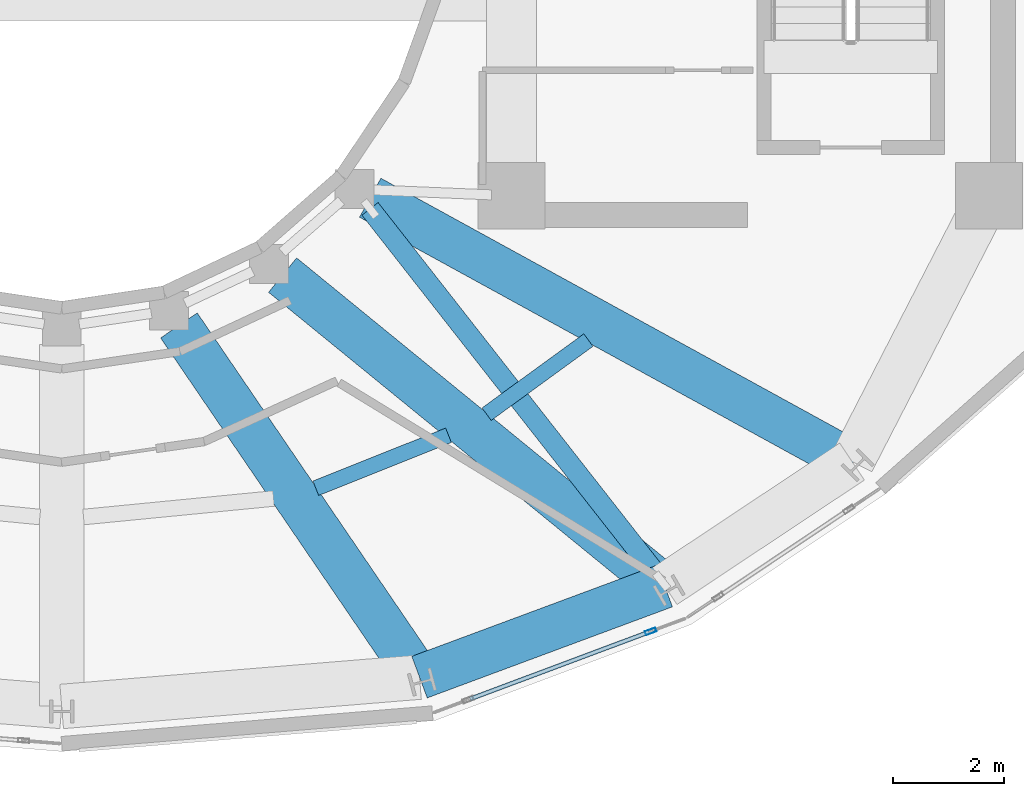
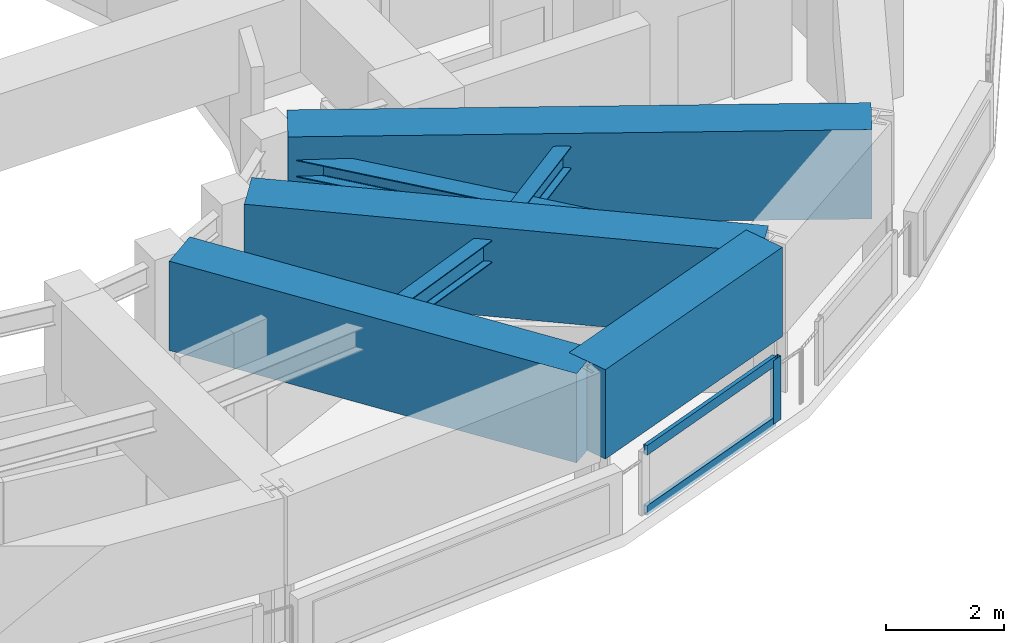
# One storey, part 5 of 18: 6 beams, 4 members, 1 element without a shape of its own.
"""IFC4 building model written with IfcOpenShell, lengths in metres."""

from ifc_helpers import new_model, si_unit, direction, frame, origin, origin_2d, place, context, subcontext, project, spatial, rectangle, hollow_rectangle, i_section, extrude, material, layer, layer_set, material_profile, profile_set, type_object, element, aggregate, save


model = new_model("IFC4")

# Units and contexts
model_context = context("Model", 3, precision=1e-05, world=origin(), true_north=direction((0.0, 1.0)))
body_context = subcontext(model_context, "Body", "Model", "MODEL_VIEW")
ifc_project = project(units=[si_unit("LENGTHUNIT", "METRE"), si_unit("AREAUNIT", "SQUARE_METRE"), si_unit("VOLUMEUNIT", "CUBIC_METRE"), si_unit("PLANEANGLEUNIT", "RADIAN"), si_unit("MASSUNIT", "GRAM", prefix="KILO")], contexts=[model_context])

# Site, building, storey
site_placement = place(None, origin())
site = spatial("IfcSite", under=ifc_project, at=site_placement, CompositionType="ELEMENT")
building_placement = place(site_placement, origin())
building = spatial("IfcBuilding", under=site, at=building_placement, Name="Solvane Sanctuary Tower", CompositionType="ELEMENT")
storey_placement = place(building_placement, frame((0.0, 0.0, 263.60009765625)))
storey = spatial("IfcBuildingStorey", under=building, at=storey_placement, Name="L80", CompositionType="ELEMENT", Elevation=263.60009765625)

# Beams
ifc_material_1 = material(Name="Steel ASTM A992 Grade 50", Category="steel")
ifc_material_profile_1 = material_profile(ifc_material_1, i_section(OverallWidth=0.280029296875, OverallDepth=0.462890625, WebThickness=0.0107421875, FlangeThickness=0.017333984375, FilletRadius=0.013916015625, at=origin_2d()), Name="W18X76")
ifc_profile_set_1 = profile_set([ifc_material_profile_1], Name="Steel ASTM A992 Grade 50")
beam_type_1 = type_object("IfcBeamType", Name="Beam B-SEC-JOIST W18X76", PredefinedType="JOIST", material=ifc_profile_set_1)
beam_1_placement = place(storey_placement, frame((36.57666015625, 11.632080078125, 2.706298828125), z_axis=(0.928646716037, 0.370965330987, 0.0), x_axis=(-0.370965330987, 0.928646716037, 0.0)))
element("IfcBeam", 1, at=beam_1_placement, inside=storey, type_object=beam_type_1, Name="L80 Secondary Circumferential Joist 12-13", PredefinedType="JOIST", context=body_context, shape_type="SweptSolid", body=[
    extrude(i_section(OverallWidth=0.280029296875, OverallDepth=0.462890625, WebThickness=0.0107421875, FlangeThickness=0.017333984375, FilletRadius=0.013916015625, at=origin_2d()), origin(), (0.0, 0.0, 1.0), 2.5732421875),
])
beam_2_placement = place(storey_placement, frame((39.65234375, 12.965576171875, 2.706298828125), z_axis=(0.808358744666, 0.588690190101, 0.0), x_axis=(-0.588690190101, 0.808358744666, 0.0)))
element("IfcBeam", 2, at=beam_2_placement, inside=storey, type_object=beam_type_1, Name="L80 Secondary Circumferential Joist 13-14", PredefinedType="JOIST", context=body_context, shape_type="SweptSolid", body=[
    extrude(i_section(OverallWidth=0.280029296875, OverallDepth=0.462890625, WebThickness=0.0107421875, FlangeThickness=0.017333984375, FilletRadius=0.013916015625, at=origin_2d()), origin(), (0.0, 0.0, 1.0), 2.267333984375),
])
ifc_material_2 = material(Name="Concrete C70/85", Category="concrete")
ifc_material_profile_2 = material_profile(ifc_material_2, rectangle(XDim=0.800048828125, YDim=1.85009765625, at=origin_2d()), Name="RC800X1850")
ifc_profile_set_2 = profile_set([ifc_material_profile_2], Name="Concrete C70/85")
beam_type_2 = type_object("IfcBeamType", Name="Beam B-XFER-BLK RC800X1850", PredefinedType="BEAM", material=ifc_profile_set_2)
beam_3_placement = place(storey_placement, frame((34.111083984375, 14.56396484375, 2.27490234375), z_axis=(0.563314112338, -0.826242828012, 0.0), x_axis=(0.826242828012, 0.563314112338, 0.0)))
element("IfcBeam", 3, at=beam_3_placement, inside=storey, type_object=beam_type_2, Name="L80 Block-Shift Radial Transfer Girder 12A", PredefinedType="BEAM", context=body_context, shape_type="SweptSolid", body=[
    extrude(rectangle(XDim=0.800048828125, YDim=1.85009765625, at=origin_2d()), origin(), (0.0, 0.0, 1.0), 7.671630859375),
])
beam_4_placement = place(storey_placement, frame((35.977783203125, 15.47119140625, 2.27490234375), z_axis=(0.774760127624, -0.632255284394, 0.0), x_axis=(0.632255284394, 0.774760127624, 0.0)))
element("IfcBeam", 4, at=beam_4_placement, inside=storey, type_object=beam_type_2, Name="L80 Block-Shift Radial Transfer Girder 13A", PredefinedType="BEAM", context=body_context, shape_type="SweptSolid", body=[
    extrude(rectangle(XDim=0.800048828125, YDim=1.85009765625, at=origin_2d()), origin(), (0.0, 0.0, 1.0), 8.88134765625),
])
beam_5_placement = place(storey_placement, frame((37.555419921875, 16.864013671875, 2.27490234375), z_axis=(0.876702184602, -0.481033553418, 0.0), x_axis=(0.481033553418, 0.876702184602, 0.0)))
element("IfcBeam", 5, at=beam_5_placement, inside=storey, type_object=beam_type_2, Name="L80 Block-Shift Radial Transfer Girder 14A", PredefinedType="BEAM", context=body_context, shape_type="SweptSolid", body=[
    extrude(rectangle(XDim=0.800048828125, YDim=1.85009765625, at=origin_2d()), origin(), (0.0, 0.0, 1.0), 9.91259765625),
])
beam_6_placement = place(storey_placement, frame((38.443603515625, 8.23046875, 2.27490234375), z_axis=(0.937427688281, 0.348180024188, 0.0), x_axis=(-0.348180024188, 0.937427688281, 0.0)))
element("IfcBeam", 6, at=beam_6_placement, inside=storey, type_object=beam_type_2, Name="L80 Perimeter Step Transfer Ring NTC12-NTC13", PredefinedType="BEAM", context=body_context, shape_type="SweptSolid", body=[
    extrude(rectangle(XDim=0.800048828125, YDim=1.85009765625, at=origin_2d()), origin(), (0.0, 0.0, 1.0), 4.711181640625),
])

# Member
ifc_material_profile_3 = material_profile(ifc_material_1, i_section(OverallWidth=0.368896484375, OverallDepth=0.35595703125, WebThickness=0.01123046875, FlangeThickness=0.01806640625, FilletRadius=0.02490234375, at=origin_2d()), Name="W14X90")
ifc_profile_set_3 = profile_set([ifc_material_profile_3], Name="Steel ASTM A992 Grade 50")
member_type_1 = type_object("IfcMemberType", Name="Member M-CROWN-TIE W14X90", PredefinedType="CHORD", material=ifc_profile_set_3)
member_1_placement = place(storey_placement, frame((37.555419921875, 16.66015625, 2.540283203125), z_axis=(0.61657715967, -0.786962266432, 0.022869136088), x_axis=(0.787168136792, 0.616738457062, 0.0)))
element("IfcMember", 7, at=member_1_placement, inside=storey, type_object=member_type_1, Name="L80 Crown Bracing Tie 14", PredefinedType="CHORD", context=body_context, shape_type="SweptSolid", body=[
    extrude(i_section(OverallWidth=0.368896484375, OverallDepth=0.35595703125, WebThickness=0.01123046875, FlangeThickness=0.01806640625, FilletRadius=0.02490234375, at=origin_2d()), origin(), (0.0, 0.0, 1.0), 8.50830078125),
])

# Curtain wall, members
ifc_material_3 = material(Name="Anodised Aluminium 6063-T6", Category="aluminium")
ifc_layer = layer(ifc_material_3, 0.219970703125, Name="Anodised Aluminium 6063-T6")
ifc_layer_set = layer_set([ifc_layer], Name="Anodised Aluminium 6063-T6")
curtain_wall_type = type_object("IfcCurtainWallType", Name="Curtain Wall CW-CROWN", PredefinedType="NOTDEFINED", material=ifc_layer_set)
curtain_wall_placement = place(storey_placement, origin())
curtain_wall = element("IfcCurtainWall", 8, at=curtain_wall_placement, inside=storey, type_object=curtain_wall_type, Name="L80 Crown Fritted Lantern Curtain Wall 19", PredefinedType="NOTDEFINED")
ifc_material_profile_4 = material_profile(ifc_material_3, hollow_rectangle(XDim=0.074951171875, YDim=0.199951171875, WallThickness=0.00390625, at=origin_2d()), Name="ALU200X75X4")
ifc_profile_set_4 = profile_set([ifc_material_profile_4], Name="Anodised Aluminium 6063-T6")
member_type_2 = type_object("IfcMemberType", Name="Member M-CW-MUL-1 ALU200X75X4", PredefinedType="MULLION", material=ifc_profile_set_4)
member_2_placement = place(storey_placement, frame((42.607177734375, 9.053955078125, 0.0), z_axis=(0.0, 0.0, 1.0), x_axis=(-0.350518151106, 0.936555938396, 0.0)))
member_2 = element("IfcMember", 9, at=member_2_placement, type_object=member_type_2, Name="CW-CROWN mullion 2", PredefinedType="MULLION", context=body_context, shape_type="SweptSolid", body=[
    extrude(hollow_rectangle(XDim=0.074951171875, YDim=0.199951171875, WallThickness=0.00390625, at=origin_2d()), origin(), (0.0, 0.0, 1.0), 1.31982421875),
])
ifc_material_profile_5 = material_profile(ifc_material_3, hollow_rectangle(XDim=0.074951171875, YDim=0.199951171875, WallThickness=0.00390625, at=origin_2d()), Name="ALU200X75X4")
ifc_profile_set_5 = profile_set([ifc_material_profile_5], Name="Anodised Aluminium 6063-T6")
member_type_3 = type_object("IfcMemberType", Name="Member M-CW-TRN-2 ALU200X75X4", PredefinedType="USERDEFINED", material=ifc_profile_set_5)
member_3_placement = place(storey_placement, frame((39.354736328125, 7.836669921875, 0.037353515625), z_axis=(0.936533460905, 0.350578203266, 0.0), x_axis=(-0.350578203266, 0.936533460905, 0.0)))
member_3 = element("IfcMember", 10, at=member_3_placement, type_object=member_type_3, Name="CW-CROWN transom 1.1", ObjectType="TRANSOM", PredefinedType="USERDEFINED", context=body_context, shape_type="SweptSolid", body=[
    extrude(hollow_rectangle(XDim=0.074951171875, YDim=0.199951171875, WallThickness=0.00390625, at=origin_2d()), origin(), (0.0, 0.0, 1.0), 3.435302734375),
])
member_4_placement = place(storey_placement, frame((39.354736328125, 7.836669921875, 1.282470703125), z_axis=(0.936533460905, 0.350578203266, 0.0), x_axis=(-0.350578203266, 0.936533460905, 0.0)))
member_4 = element("IfcMember", 11, at=member_4_placement, type_object=member_type_3, Name="CW-CROWN transom 1.2", ObjectType="TRANSOM", PredefinedType="USERDEFINED", context=body_context, shape_type="SweptSolid", body=[
    extrude(hollow_rectangle(XDim=0.074951171875, YDim=0.199951171875, WallThickness=0.00390625, at=origin_2d()), origin(), (0.0, 0.0, 1.0), 3.435302734375),
])
aggregate(curtain_wall, [member_2, member_3, member_4])

save(model, "model.ifc")
